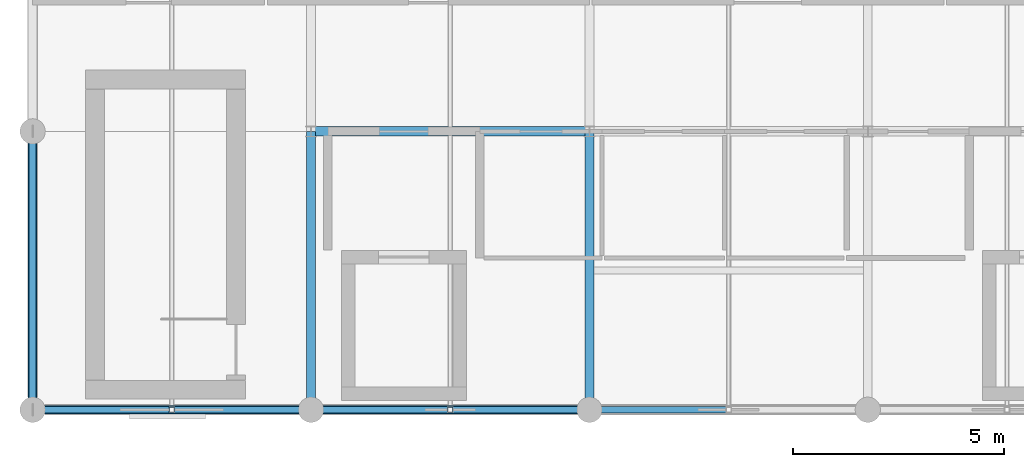
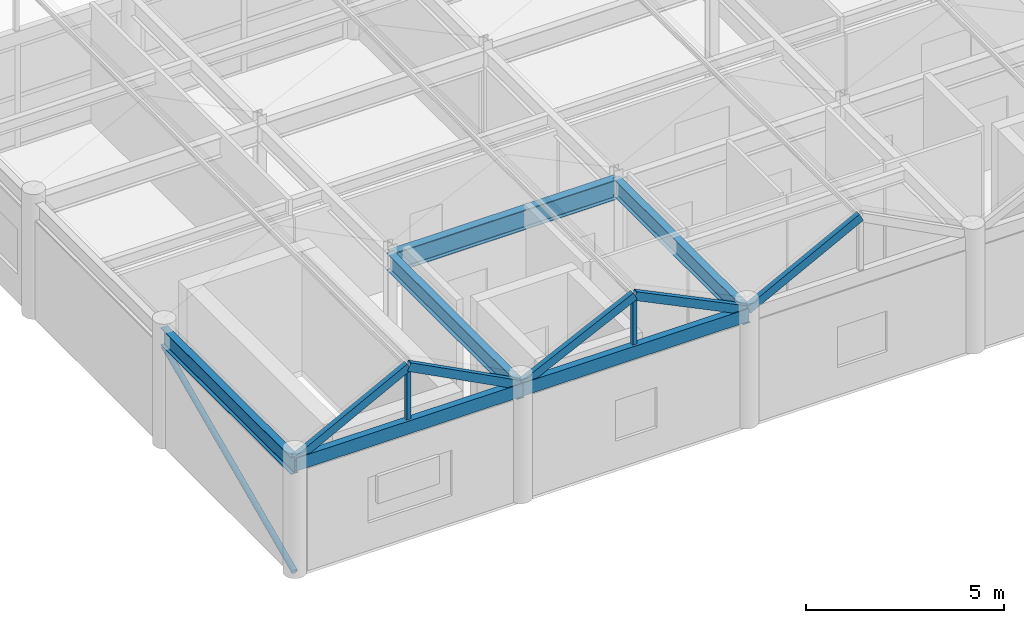
# One storey, part 3 of 21: 8 members, 6 beams.
"""IFC4 building model written with IfcOpenShell, lengths in metres."""

from ifc_helpers import new_model, si_unit, direction, frame, origin, origin_2d, place, context, subcontext, project, spatial, hollow_rectangle, hollow_circle, i_section, extrude, material, material_profile, profile_set, type_object, element, save


model = new_model("IFC4")

# Units and contexts
model_context = context("Model", 3, precision=1e-05, world=origin(), true_north=direction((0.0, 1.0)))
body_context = subcontext(model_context, "Body", "Model", "MODEL_VIEW")
ifc_project = project(units=[si_unit("LENGTHUNIT", "METRE"), si_unit("AREAUNIT", "SQUARE_METRE"), si_unit("VOLUMEUNIT", "CUBIC_METRE"), si_unit("PLANEANGLEUNIT", "RADIAN"), si_unit("MASSUNIT", "GRAM", prefix="KILO")], contexts=[model_context])

# Site, building, storey
site_placement = place(None, origin())
site = spatial("IfcSite", under=ifc_project, at=site_placement, CompositionType="ELEMENT")
building_placement = place(site_placement, origin())
building = spatial("IfcBuilding", under=site, at=building_placement, Name="Karori Crest Natural Sciences Institute", CompositionType="ELEMENT")
storey_placement = place(building_placement, frame((0.0, 0.0, 42.0)))
storey = spatial("IfcBuildingStorey", under=building, at=storey_placement, Name="L10", CompositionType="ELEMENT", Elevation=42.0)

# Beams
ifc_material_1 = material(Name="Structural steel AS/NZS 3679.1 Grade 350", Category="steel")
ifc_material_profile_1 = material_profile(ifc_material_1, i_section(OverallWidth=0.22900390625, OverallDepth=0.612060546875, WebThickness=0.011962890625, FlangeThickness=0.01953125, FilletRadius=0.013916015625, at=origin_2d()), Name="610UB125")
ifc_profile_set_1 = profile_set([ifc_material_profile_1], Name="Structural steel AS/NZS 3679.1 Grade 350")
beam_type_1 = type_object("IfcBeamType", Name="BT-04", PredefinedType="BEAM", material=ifc_profile_set_1)
beam_1_placement = place(storey_placement, frame((110.199951171875, 7.39990234375, 3.263916015625), z_axis=(1.0, 0.0, 0.0), x_axis=(0.0, 1.0, 0.0)))
element("IfcBeam", 1, at=beam_1_placement, inside=storey, type_object=beam_type_1, Name="Beam B-2834", PredefinedType="BEAM", context=body_context, shape_type="SweptSolid", body=[
    extrude(i_section(OverallWidth=0.22900390625, OverallDepth=0.612060546875, WebThickness=0.011962890625, FlangeThickness=0.01953125, FilletRadius=0.013916015625, at=origin_2d()), origin(), (0.0, 0.0, 1.0), 6.60009765625),
])
ifc_material_profile_2 = material_profile(ifc_material_1, i_section(OverallWidth=0.208984375, OverallDepth=0.532958984375, WebThickness=0.01025390625, FlangeThickness=0.015625, FilletRadius=0.013916015625, at=origin_2d()), Name="530UB92.4")
ifc_profile_set_2 = profile_set([ifc_material_profile_2], Name="Structural steel AS/NZS 3679.1 Grade 350")
beam_type_2 = type_object("IfcBeamType", Name="BT-05", PredefinedType="BEAM", material=ifc_profile_set_2)
for number, where, z_axis, x_axis, name in (
    (2, (110.199951171875, 0.800048828125, 3.303466796875), (0.0, 1.0, 0.0), (-1.0, 0.0, 0.0), "Beam B-2850"),
    (3, (116.800048828125, 0.800048828125, 3.303466796875), (0.0, 1.0, 0.0), (-1.0, 0.0, 0.0), "Beam B-2853"),
):
    element("IfcBeam", number, at=place(storey_placement, frame(where, z_axis=z_axis, x_axis=x_axis)), inside=storey, type_object=beam_type_2, Name=name, PredefinedType="BEAM", context=body_context, shape_type="SweptSolid", body=[
        extrude(i_section(OverallWidth=0.208984375, OverallDepth=0.532958984375, WebThickness=0.01025390625, FlangeThickness=0.015625, FilletRadius=0.013916015625, at=origin_2d()), origin(), (0.0, 0.0, 1.0), 6.599853515625),
    ])
ifc_material_profile_3 = material_profile(ifc_material_1, i_section(OverallWidth=0.208984375, OverallDepth=0.532958984375, WebThickness=0.01025390625, FlangeThickness=0.015625, FilletRadius=0.013916015625, at=origin_2d()), Name="530UB92.4")
ifc_profile_set_3 = profile_set([ifc_material_profile_3], Name="Structural steel AS/NZS 3679.1 Grade 350")
beam_type_3 = type_object("IfcBeamType", Name="BT-05-EL", PredefinedType="BEAM", material=ifc_profile_set_3)
beam_2_placement = place(storey_placement, frame((103.60009765625, 0.800048828125, 3.303466796875), z_axis=(0.0, 1.0, 0.0), x_axis=(-1.0, 0.0, 0.0)))
element("IfcBeam", 4, at=beam_2_placement, inside=storey, type_object=beam_type_3, Name="Beam B-2847", PredefinedType="BEAM", context=body_context, shape_type="SweptSolid", body=[
    extrude(i_section(OverallWidth=0.208984375, OverallDepth=0.532958984375, WebThickness=0.01025390625, FlangeThickness=0.015625, FilletRadius=0.013916015625, at=origin_2d()), origin(), (0.0, 0.0, 1.0), 6.599853515625),
])
ifc_material_2 = material(Name="Hollow structural steel AS/NZS 1163 Grade C350", Category="steel")
ifc_material_profile_4 = material_profile(ifc_material_2, hollow_rectangle(XDim=0.199951171875, YDim=0.39990234375, WallThickness=0.012451171875, at=origin_2d()), Name="RHS400x200x12.5")
ifc_profile_set_4 = profile_set([ifc_material_profile_4], Name="Hollow structural steel AS/NZS 1163 Grade C350")
beam_type_4 = type_object("IfcBeamType", Name="BT-14", PredefinedType="SPANDREL", material=ifc_profile_set_4)
beam_3_placement = place(storey_placement, frame((103.60009765625, 0.800048828125, 3.3701171875), z_axis=(1.0, 0.0, 0.0), x_axis=(0.0, 1.0, 0.0)))
element("IfcBeam", 5, at=beam_3_placement, inside=storey, type_object=beam_type_4, Name="Beam B-2829", PredefinedType="SPANDREL", context=body_context, shape_type="SweptSolid", body=[
    extrude(hollow_rectangle(XDim=0.199951171875, YDim=0.39990234375, WallThickness=0.012451171875, at=origin_2d()), origin(), (0.0, 0.0, 1.0), 6.599853515625),
])
beam_4_placement = place(storey_placement, frame((110.199951171875, 0.800048828125, 3.3701171875), z_axis=(1.0, 0.0, 0.0), x_axis=(0.0, 1.0, 0.0)))
element("IfcBeam", 6, at=beam_4_placement, inside=storey, type_object=beam_type_4, Name="Beam B-2830", PredefinedType="SPANDREL", context=body_context, shape_type="SweptSolid", body=[
    extrude(hollow_rectangle(XDim=0.199951171875, YDim=0.39990234375, WallThickness=0.012451171875, at=origin_2d()), origin(), (0.0, 0.0, 1.0), 6.60009765625),
])

# Members
ifc_material_profile_5 = material_profile(ifc_material_2, hollow_circle(Radius=0.084228515625, WallThickness=0.007080078125, at=origin_2d()), Name="CHS168.3x7.1")
ifc_profile_set_5 = profile_set([ifc_material_profile_5], Name="Hollow structural steel AS/NZS 1163 Grade C350")
member_type_1 = type_object("IfcMemberType", Name="MT-03", PredefinedType="BRACE", material=ifc_profile_set_5)
member_1_placement = place(storey_placement, frame((103.60009765625, 0.800048828125, 0.010009765625), z_axis=(0.0, 0.912537564106, 0.408992902257), x_axis=(-1.0, 0.0, 0.0)))
element("IfcMember", 7, at=member_1_placement, inside=storey, type_object=member_type_1, Name="Diagonal Brace M-0459", PredefinedType="BRACE", context=body_context, shape_type="SweptSolid", body=[
    extrude(hollow_circle(Radius=0.084228515625, WallThickness=0.007080078125, at=origin_2d()), origin(), (0.0, 0.0, 1.0), 7.232421875),
])
ifc_material_profile_6 = material_profile(ifc_material_2, hollow_rectangle(XDim=0.14990234375, YDim=0.25, WallThickness=0.009033203125, at=origin_2d()), Name="RHS250x150x9")
ifc_profile_set_6 = profile_set([ifc_material_profile_6], Name="Hollow structural steel AS/NZS 1163 Grade C350")
member_type_2 = type_object("IfcMemberType", Name="MT-08", PredefinedType="RAFTER", material=ifc_profile_set_6)
member_2_placement = place(storey_placement, frame((103.60009765625, 0.800048828125, 3.489990234375), z_axis=(0.886768441903, 0.0, 0.462213944451), x_axis=(0.0, 1.0, 0.0)))
element("IfcMember", 8, at=member_2_placement, inside=storey, type_object=member_type_2, Name="Member M-0463", PredefinedType="RAFTER", context=body_context, shape_type="SweptSolid", body=[
    extrude(hollow_rectangle(XDim=0.14990234375, YDim=0.25, WallThickness=0.009033203125, at=origin_2d()), origin(), (0.0, 0.0, 1.0), 3.72119140625),
])
member_3_placement = place(storey_placement, frame((110.199951171875, 0.800048828125, 3.489990234375), z_axis=(-0.886782457456, 0.0, 0.462187054285), x_axis=(0.0, -1.0, 0.0)))
element("IfcMember", 9, at=member_3_placement, inside=storey, type_object=member_type_2, Name="Member M-0464", PredefinedType="RAFTER", context=body_context, shape_type="SweptSolid", body=[
    extrude(hollow_rectangle(XDim=0.14990234375, YDim=0.25, WallThickness=0.009033203125, at=origin_2d()), origin(), (0.0, 0.0, 1.0), 3.721435546875),
])
for number, where, z_axis, x_axis, name in (
    (10, (110.199951171875, 0.800048828125, 3.489990234375), (0.899806188121, 0.0, 0.436289839235), (0.0, 1.0, 0.0), "Member M-0470"),
    (11, (116.800048828125, 0.800048828125, 3.489990234375), (-0.899806188121, 0.0, 0.436289839235), (0.0, -1.0, 0.0), "Member M-0471"),
):
    element("IfcMember", number, at=place(storey_placement, frame(where, z_axis=z_axis, x_axis=x_axis)), inside=storey, type_object=member_type_2, Name=name, PredefinedType="RAFTER", context=body_context, shape_type="SweptSolid", body=[
        extrude(hollow_rectangle(XDim=0.14990234375, YDim=0.25, WallThickness=0.009033203125, at=origin_2d()), origin(), (0.0, 0.0, 1.0), 3.66748046875),
    ])
member_4_placement = place(storey_placement, frame((116.800048828125, 0.800048828125, 3.489990234375), z_axis=(0.886782457456, 0.0, 0.462187054285), x_axis=(0.0, 1.0, 0.0)))
element("IfcMember", 12, at=member_4_placement, inside=storey, type_object=member_type_2, Name="Member M-0477", PredefinedType="RAFTER", context=body_context, shape_type="SweptSolid", body=[
    extrude(hollow_rectangle(XDim=0.14990234375, YDim=0.25, WallThickness=0.009033203125, at=origin_2d()), origin(), (0.0, 0.0, 1.0), 3.721435546875),
])
ifc_material_profile_7 = material_profile(ifc_material_2, hollow_rectangle(XDim=0.125, YDim=0.125, WallThickness=0.006103515625, at=origin_2d()), Name="SHS125x125x6")
ifc_profile_set_7 = profile_set([ifc_material_profile_7], Name="Hollow structural steel AS/NZS 1163 Grade C350")
member_type_3 = type_object("IfcMemberType", Name="MT-20", PredefinedType="STRUT", material=ifc_profile_set_7)
member_5_placement = place(storey_placement, frame((106.89990234375, 0.800048828125, 3.58203125), z_axis=(0.0, 0.0, 1.0), x_axis=(1.0, 0.0, 0.0)))
element("IfcMember", 13, at=member_5_placement, inside=storey, type_object=member_type_3, Name="Member M-0461", PredefinedType="STRUT", context=body_context, shape_type="SweptSolid", body=[
    extrude(hollow_rectangle(XDim=0.125, YDim=0.125, WallThickness=0.006103515625, at=origin_2d()), origin(), (0.0, 0.0, 1.0), 1.6279296875),
])
member_6_placement = place(storey_placement, frame((113.5, 0.800048828125, 3.58203125), z_axis=(0.0, 0.0, 1.0), x_axis=(1.0, 0.0, 0.0)))
element("IfcMember", 14, at=member_6_placement, inside=storey, type_object=member_type_3, Name="Member M-0468", PredefinedType="STRUT", context=body_context, shape_type="SweptSolid", body=[
    extrude(hollow_rectangle(XDim=0.125, YDim=0.125, WallThickness=0.006103515625, at=origin_2d()), origin(), (0.0, 0.0, 1.0), 1.508056640625),
])

save(model, "model.ifc")
